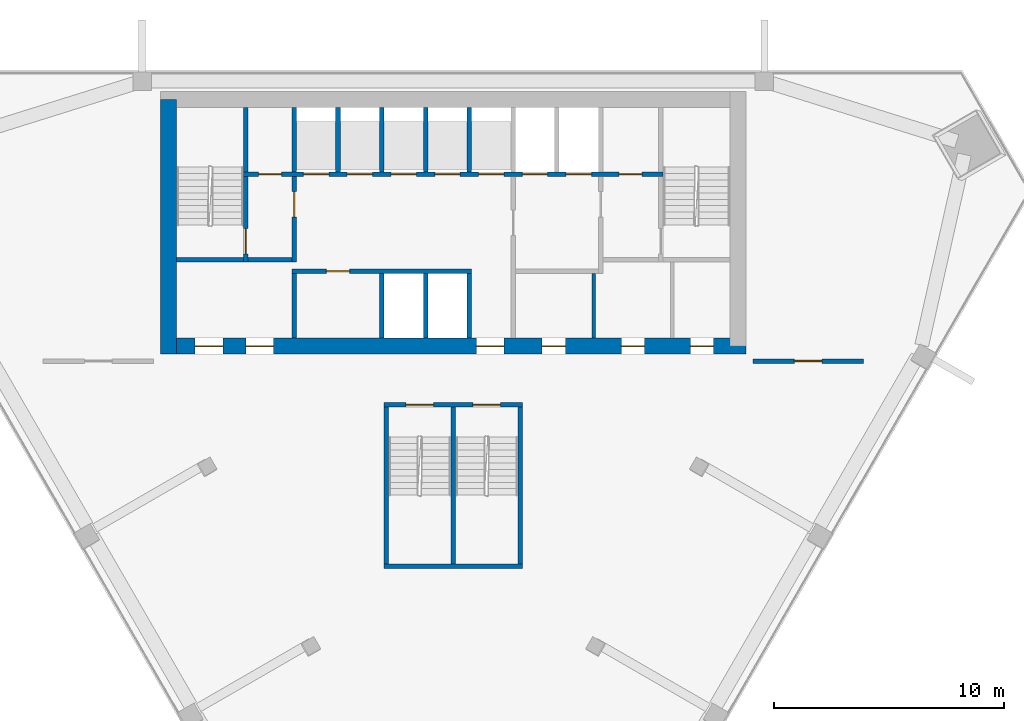
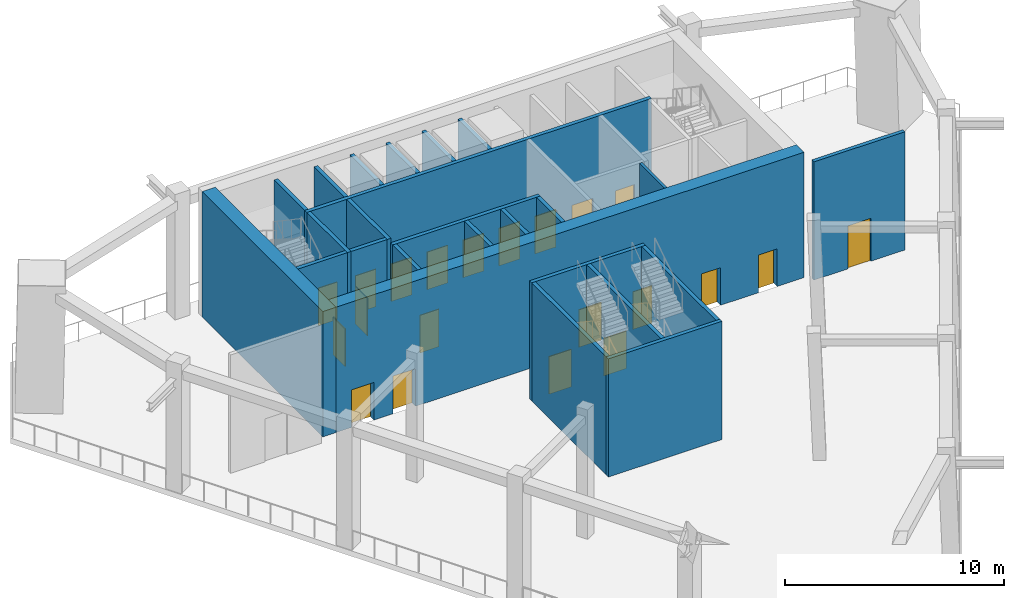
# One storey, part 2 of 6: 25 walls, 21 doors, 21 openings.
"""IFC4 building model written with IfcOpenShell, lengths in metres."""

from ifc_helpers import new_model, si_unit, direction, frame, frame_2d, origin, place, context, subcontext, project, spatial, rectangle, extrude, material, layer, layer_set, type_object, element, fill, save


model = new_model("IFC4")

# Units and contexts
model_context = context("Model", 3, precision=1e-05, world=origin(), true_north=direction((0.0, 1.0)))
body_context = subcontext(model_context, "Body", "Model", "MODEL_VIEW")
ifc_project = project(units=[si_unit("LENGTHUNIT", "METRE"), si_unit("AREAUNIT", "SQUARE_METRE"), si_unit("VOLUMEUNIT", "CUBIC_METRE"), si_unit("PLANEANGLEUNIT", "RADIAN"), si_unit("MASSUNIT", "GRAM", prefix="KILO")], contexts=[model_context])

# Site, building, storey
site_placement = place(None, origin())
site = spatial("IfcSite", under=ifc_project, at=site_placement, CompositionType="ELEMENT")
building_placement = place(site_placement, origin())
building = spatial("IfcBuilding", under=site, at=building_placement, Name="Altiplano Prism Tower", CompositionType="ELEMENT")
storey_placement = place(building_placement, frame((0.0, 0.0, 212.39990234375)))
storey = spatial("IfcBuildingStorey", under=building, at=storey_placement, Name="L55", CompositionType="ELEMENT", Elevation=212.39990234375)

# Wall, openings, doors
ifc_material_1 = material(Name="Concrete C60/75", Category="concrete")
ifc_layer_1 = layer(ifc_material_1, 0.699951171875)
ifc_layer_set_1 = layer_set([ifc_layer_1], Name="Concrete C60/75")
wall_type_1 = type_object("IfcWallType", Name="Core wall 700", PredefinedType="SHEAR", material=ifc_layer_set_1)
wall_1_placement = place(storey_placement, frame((72.64990234375, 93.050048828125, 0.0), z_axis=(0.0, 0.0, 1.0), x_axis=(1.0, 0.0, 0.0)))
wall_1 = element("IfcWall", 1, at=wall_1_placement, inside=storey, type_object=wall_type_1, Name="Core wall S L55", PredefinedType="SHEAR", context=body_context, shape_type="SweptSolid", body=[
    extrude(rectangle(XDim=25.050048828125, YDim=0.699951171875, at=frame_2d((12.52490234375, 0.0))), origin(), (0.0, 0.0, 1.0), 7.0),
])
opening_1_placement = place(wall_1_placement, frame((1.14990234375, 0.0, 0.0)))
opening_1 = element("IfcOpeningElement", 2, at=opening_1_placement, cuts=wall_1, Name="Opening D3346", PredefinedType="OPENING", context=body_context, shape_type="SweptSolid", body=[
    extrude(rectangle(XDim=1.199951171875, YDim=2.10009765625, at=frame_2d((0.60009765625, 1.050048828125))), frame((0.0, 0.3603515625, 0.0), z_axis=(0.0, -1.0, 0.0), x_axis=(1.0, 0.0, 0.0)), (0.0, 0.0, 1.0), 0.720947265625),
])
opening_2_placement = place(wall_1_placement, frame((3.35009765625, 0.0, 0.0)))
opening_2 = element("IfcOpeningElement", 3, at=opening_2_placement, cuts=wall_1, Name="Opening D3347", PredefinedType="OPENING", context=body_context, shape_type="SweptSolid", body=[
    extrude(rectangle(XDim=1.199951171875, YDim=2.10009765625, at=frame_2d((0.60009765625, 1.050048828125))), frame((0.0, 0.3603515625, 0.0), z_axis=(0.0, -1.0, 0.0), x_axis=(1.0, 0.0, 0.0)), (0.0, 0.0, 1.0), 0.720947265625),
])
opening_3_placement = place(wall_1_placement, frame((13.35009765625, 0.0, 0.0)))
opening_3 = element("IfcOpeningElement", 4, at=opening_3_placement, cuts=wall_1, Name="Opening D3348", PredefinedType="OPENING", context=body_context, shape_type="SweptSolid", body=[
    extrude(rectangle(XDim=1.199951171875, YDim=2.10009765625, at=frame_2d((0.60009765625, 1.050048828125))), frame((0.0, 0.3603515625, 0.0), z_axis=(0.0, -1.0, 0.0), x_axis=(1.0, 0.0, 0.0)), (0.0, 0.0, 1.0), 0.720947265625),
])
opening_4_placement = place(wall_1_placement, frame((16.21240234375, 0.0, 0.0)))
opening_4 = element("IfcOpeningElement", 5, at=opening_4_placement, cuts=wall_1, Name="Opening D3351", PredefinedType="OPENING", context=body_context, shape_type="SweptSolid", body=[
    extrude(rectangle(XDim=1.0, YDim=2.10009765625, at=frame_2d((0.5, 1.050048828125))), frame((0.0, 0.3603515625, 0.0), z_axis=(0.0, -1.0, 0.0), x_axis=(1.0, 0.0, 0.0)), (0.0, 0.0, 1.0), 0.720947265625),
])
opening_5_placement = place(wall_1_placement, frame((19.64990234375, 0.0, 0.0)))
opening_5 = element("IfcOpeningElement", 6, at=opening_5_placement, cuts=wall_1, Name="Opening D3352", PredefinedType="OPENING", context=body_context, shape_type="SweptSolid", body=[
    extrude(rectangle(XDim=1.0, YDim=2.10009765625, at=frame_2d((0.5, 1.050048828125))), frame((0.0, 0.3603515625, 0.0), z_axis=(0.0, -1.0, 0.0), x_axis=(1.0, 0.0, 0.0)), (0.0, 0.0, 1.0), 0.720947265625),
])
opening_6_placement = place(wall_1_placement, frame((22.637451171875, 0.0, 0.0)))
opening_6 = element("IfcOpeningElement", 7, at=opening_6_placement, cuts=wall_1, Name="Opening D3353", PredefinedType="OPENING", context=body_context, shape_type="SweptSolid", body=[
    extrude(rectangle(XDim=1.0, YDim=2.10009765625, at=frame_2d((0.5, 1.050048828125))), frame((0.0, 0.3603515625, 0.0), z_axis=(0.0, -1.0, 0.0), x_axis=(1.0, 0.0, 0.0)), (0.0, 0.0, 1.0), 0.720947265625),
])
ifc_material_2 = material(Name="Fire-rated steel door", Category="steel")
door_type_1 = type_object("IfcDoorType", Name="Core room door 1000 x 2100", OperationType="NOTDEFINED", PredefinedType="NOTDEFINED", material=ifc_material_2)
door_1_placement = place(opening_4_placement, origin())
door_1 = element("IfcDoor", 8, at=door_1_placement, inside=storey, type_object=door_type_1, Name="Core room door D3351", OperationType="SINGLE_SWING_RIGHT", OverallHeight=2.10009765625, OverallWidth=1.0, PredefinedType="NOTDEFINED", context=body_context, shape_type="SweptSolid", body=[
    extrude(rectangle(XDim=1.0, YDim=2.10009765625, at=frame_2d((0.5, 1.050048828125))), frame((0.0, 0.02490234375, 0.0), z_axis=(0.0, -1.0, 0.0), x_axis=(1.0, 0.0, 0.0)), (0.0, 0.0, 1.0), 0.050048828125),
])
fill(opening_4, door_1)
door_2_placement = place(opening_5_placement, origin())
door_2 = element("IfcDoor", 9, at=door_2_placement, inside=storey, type_object=door_type_1, Name="Core room door D3352", OperationType="SINGLE_SWING_LEFT", OverallHeight=2.10009765625, OverallWidth=1.0, PredefinedType="NOTDEFINED", context=body_context, shape_type="SweptSolid", body=[
    extrude(rectangle(XDim=1.0, YDim=2.10009765625, at=frame_2d((0.5, 1.050048828125))), frame((0.0, 0.02490234375, 0.0), z_axis=(0.0, -1.0, 0.0), x_axis=(1.0, 0.0, 0.0)), (0.0, 0.0, 1.0), 0.050048828125),
])
fill(opening_5, door_2)
door_3_placement = place(opening_6_placement, origin())
door_3 = element("IfcDoor", 10, at=door_3_placement, inside=storey, type_object=door_type_1, Name="Core room door D3353", OperationType="SINGLE_SWING_RIGHT", OverallHeight=2.10009765625, OverallWidth=1.0, PredefinedType="NOTDEFINED", context=body_context, shape_type="SweptSolid", body=[
    extrude(rectangle(XDim=1.0, YDim=2.10009765625, at=frame_2d((0.5, 1.050048828125))), frame((0.0, 0.02490234375, 0.0), z_axis=(0.0, -1.0, 0.0), x_axis=(1.0, 0.0, 0.0)), (0.0, 0.0, 1.0), 0.050048828125),
])
fill(opening_6, door_3)
door_type_2 = type_object("IfcDoorType", Name="Lobby fire door 1200 x 2100", OperationType="NOTDEFINED", PredefinedType="NOTDEFINED", material=ifc_material_2)
door_4_placement = place(opening_1_placement, origin())
door_4 = element("IfcDoor", 11, at=door_4_placement, inside=storey, type_object=door_type_2, Name="Lobby fire door D3346", OperationType="SINGLE_SWING_RIGHT", OverallHeight=2.10009765625, OverallWidth=1.199951171875, PredefinedType="NOTDEFINED", context=body_context, shape_type="SweptSolid", body=[
    extrude(rectangle(XDim=1.199951171875, YDim=2.10009765625, at=frame_2d((0.60009765625, 1.050048828125))), frame((0.0, 0.02490234375, 0.0), z_axis=(0.0, -1.0, 0.0), x_axis=(1.0, 0.0, 0.0)), (0.0, 0.0, 1.0), 0.050048828125),
])
fill(opening_1, door_4)
door_5_placement = place(opening_2_placement, origin())
door_5 = element("IfcDoor", 12, at=door_5_placement, inside=storey, type_object=door_type_2, Name="Lobby fire door D3347", OperationType="SINGLE_SWING_LEFT", OverallHeight=2.10009765625, OverallWidth=1.199951171875, PredefinedType="NOTDEFINED", context=body_context, shape_type="SweptSolid", body=[
    extrude(rectangle(XDim=1.199951171875, YDim=2.10009765625, at=frame_2d((0.60009765625, 1.050048828125))), frame((0.0, 0.02490234375, 0.0), z_axis=(0.0, -1.0, 0.0), x_axis=(1.0, 0.0, 0.0)), (0.0, 0.0, 1.0), 0.050048828125),
])
fill(opening_2, door_5)
door_6_placement = place(opening_3_placement, origin())
door_6 = element("IfcDoor", 13, at=door_6_placement, inside=storey, type_object=door_type_2, Name="Lobby fire door D3348", OperationType="SINGLE_SWING_RIGHT", OverallHeight=2.10009765625, OverallWidth=1.199951171875, PredefinedType="NOTDEFINED", context=body_context, shape_type="SweptSolid", body=[
    extrude(rectangle(XDim=1.199951171875, YDim=2.10009765625, at=frame_2d((0.60009765625, 1.050048828125))), frame((0.0, 0.02490234375, 0.0), z_axis=(0.0, -1.0, 0.0), x_axis=(1.0, 0.0, 0.0)), (0.0, 0.0, 1.0), 0.050048828125),
])
fill(opening_3, door_6)

# Wall
wall_2_placement = place(storey_placement, frame((72.64990234375, 103.75, 0.0), z_axis=(0.0, 0.0, 1.0), x_axis=(0.0, -1.0, 0.0)))
element("IfcWall", 14, at=wall_2_placement, inside=storey, type_object=wall_type_1, Name="Core wall W L55", PredefinedType="SHEAR", context=body_context, shape_type="SweptSolid", body=[
    extrude(rectangle(XDim=11.050048828125, YDim=0.699951171875, at=frame_2d((5.52490234375, 0.0))), origin(), (0.0, 0.0, 1.0), 7.0),
])

# Wall, opening, door
ifc_material_3 = material(Name="Plasterboard on steel stud", Category="steel")
ifc_layer_2 = layer(ifc_material_3, 0.199951171875)
ifc_layer_set_2 = layer_set([ifc_layer_2], Name="Plasterboard on steel stud")
wall_type_2 = type_object("IfcWallType", Name="Partition 200 plant", PredefinedType="PARTITIONING", material=ifc_layer_set_2)
wall_3_placement = place(storey_placement, frame((102.800048828125, 92.39990234375, 0.0), z_axis=(0.0, 0.0, 1.0), x_axis=(-1.0, 0.0, 0.0)))
wall_3 = element("IfcWall", 15, at=wall_3_placement, inside=storey, type_object=wall_type_2, Name="Partition P04 L55 002", PredefinedType="PARTITIONING", context=body_context, shape_type="SweptSolid", body=[
    extrude(rectangle(XDim=4.800048828125, YDim=0.199951171875, at=frame_2d((2.39990234375, 0.0))), origin(), (0.0, 0.0, 1.0), 6.60009765625),
])
opening_7_placement = place(wall_3_placement, frame((1.800048828125, 0.0, 0.0)))
opening_7 = element("IfcOpeningElement", 16, at=opening_7_placement, cuts=wall_3, Name="Opening D1870", PredefinedType="OPENING", context=body_context, shape_type="SweptSolid", body=[
    extrude(rectangle(XDim=1.199951171875, YDim=2.39990234375, at=frame_2d((0.60009765625, 1.199951171875))), frame((0.0, 0.1103515625, 0.0), z_axis=(0.0, -1.0, 0.0), x_axis=(1.0, 0.0, 0.0)), (0.0, 0.0, 1.0), 0.220947265625),
])
ifc_material_4 = material(Name="Painted steel door leaf", Category="steel")
door_type_3 = type_object("IfcDoorType", Name="Plant room door 1200 x 2400", OperationType="NOTDEFINED", PredefinedType="NOTDEFINED", material=ifc_material_4)
door_7_placement = place(opening_7_placement, origin())
door_7 = element("IfcDoor", 17, at=door_7_placement, inside=storey, type_object=door_type_3, Name="Door D1870", OperationType="SINGLE_SWING_RIGHT", OverallHeight=2.39990234375, OverallWidth=1.199951171875, PredefinedType="NOTDEFINED", context=body_context, shape_type="SweptSolid", body=[
    extrude(rectangle(XDim=1.199951171875, YDim=2.39990234375, at=frame_2d((0.60009765625, 1.199951171875))), frame((0.0, 0.02490234375, 0.0), z_axis=(0.0, -1.0, 0.0), x_axis=(1.0, 0.0, 0.0)), (0.0, 0.0, 1.0), 0.050048828125),
])
fill(opening_7, door_7)

# Walls
ifc_material_5 = material(Name="Fire-rated gypsum board partition")
ifc_layer_3 = layer(ifc_material_5, 0.14990234375)
ifc_layer_set_3 = layer_set([ifc_layer_3], Name="Fire-rated gypsum board partition")
wall_type_3 = type_object("IfcWallType", Name="Room partition 150", PredefinedType="PARTITIONING", material=ifc_layer_set_3)
wall_4_placement = place(storey_placement, frame((91.10009765625, 93.39990234375, 0.0), z_axis=(0.0, 0.0, 1.0), x_axis=(0.0, 1.0, 0.0)))
element("IfcWall", 18, at=wall_4_placement, inside=storey, type_object=wall_type_3, Name="Room partition L55", PredefinedType="PARTITIONING", context=body_context, shape_type="SweptSolid", body=[
    extrude(rectangle(XDim=2.800048828125, YDim=0.14990234375, at=frame_2d((1.39990234375, 0.0))), origin(), (0.0, 0.0, 1.0), 6.60009765625),
])
ifc_layer_4 = layer(ifc_material_1, 0.199951171875)
ifc_layer_set_4 = layer_set([ifc_layer_4], Name="Concrete C60/75")
wall_type_4 = type_object("IfcWallType", Name="Shaft wall 200", PredefinedType="SOLIDWALL", material=ifc_layer_set_4)
for number, where, z_axis, x_axis, name in (
    (19, (81.89990234375, 93.39990234375, 0.0), (0.0, 0.0, 1.0), (0.0, 1.0, 0.0), "Shaft wall L55"),
    (20, (83.800048828125, 93.39990234375, 0.0), (0.0, 0.0, 1.0), (0.0, 1.0, 0.0), "Shaft wall L55"),
    (21, (85.699951171875, 93.39990234375, 0.0), (0.0, 0.0, 1.0), (0.0, 1.0, 0.0), "Shaft wall L55"),
):
    element("IfcWall", number, at=place(storey_placement, frame(where, z_axis=z_axis, x_axis=x_axis)), inside=storey, type_object=wall_type_4, Name=name, PredefinedType="SOLIDWALL", context=body_context, shape_type="SweptSolid", body=[
        extrude(rectangle(XDim=2.800048828125, YDim=0.199951171875, at=frame_2d((1.39990234375, 0.0))), origin(), (0.0, 0.0, 1.0), 6.60009765625),
    ])

# Wall, opening, door
wall_5_placement = place(storey_placement, frame((78.0, 96.300048828125, 0.0), z_axis=(0.0, 0.0, 1.0), x_axis=(1.0, 0.0, 0.0)))
wall_5 = element("IfcWall", 22, at=wall_5_placement, inside=storey, type_object=wall_type_4, Name="Shaft wall L55", PredefinedType="SOLIDWALL", context=body_context, shape_type="SweptSolid", body=[
    extrude(rectangle(XDim=7.800048828125, YDim=0.199951171875, at=frame_2d((3.89990234375, 0.0))), origin(), (0.0, 0.0, 1.0), 6.60009765625),
])
opening_8_placement = place(wall_5_placement, frame((1.5, 0.0, 0.0)))
opening_8 = element("IfcOpeningElement", 23, at=opening_8_placement, cuts=wall_5, Name="Opening D3354", PredefinedType="OPENING", context=body_context, shape_type="SweptSolid", body=[
    extrude(rectangle(XDim=1.0, YDim=2.10009765625, at=frame_2d((0.5, 1.050048828125))), frame((0.0, 0.1103515625, 0.0), z_axis=(0.0, -1.0, 0.0), x_axis=(1.0, 0.0, 0.0)), (0.0, 0.0, 1.0), 0.220947265625),
])
door_8_placement = place(opening_8_placement, origin())
door_8 = element("IfcDoor", 24, at=door_8_placement, inside=storey, type_object=door_type_1, Name="Core room door D3354", OperationType="SINGLE_SWING_RIGHT", OverallHeight=2.10009765625, OverallWidth=1.0, PredefinedType="NOTDEFINED", context=body_context, shape_type="SweptSolid", body=[
    extrude(rectangle(XDim=1.0, YDim=2.10009765625, at=frame_2d((0.5, 1.050048828125))), frame((0.0, 0.02490234375, 0.0), z_axis=(0.0, -1.0, 0.0), x_axis=(1.0, 0.0, 0.0)), (0.0, 0.0, 1.0), 0.050048828125),
])
fill(opening_8, door_8)

# Walls
for number, where, z_axis, x_axis, name in (
    (25, (78.10009765625, 100.60009765625, 0.0), (0.0, 0.0, 1.0), (0.0, 1.0, 0.0), "Shaft wall L55"),
    (26, (80.0, 100.60009765625, 0.0), (0.0, 0.0, 1.0), (0.0, 1.0, 0.0), "Shaft wall L55"),
    (27, (81.89990234375, 100.60009765625, 0.0), (0.0, 0.0, 1.0), (0.0, 1.0, 0.0), "Shaft wall L55"),
    (28, (83.800048828125, 100.60009765625, 0.0), (0.0, 0.0, 1.0), (0.0, 1.0, 0.0), "Shaft wall L55"),
    (29, (85.699951171875, 100.60009765625, 0.0), (0.0, 0.0, 1.0), (0.0, 1.0, 0.0), "Shaft wall L55"),
):
    element("IfcWall", number, at=place(storey_placement, frame(where, z_axis=z_axis, x_axis=x_axis)), inside=storey, type_object=wall_type_4, Name=name, PredefinedType="SOLIDWALL", context=body_context, shape_type="SweptSolid", body=[
        extrude(rectangle(XDim=2.7998046875, YDim=0.199951171875, at=frame_2d((1.39990234375, 0.0))), origin(), (0.0, 0.0, 1.0), 6.60009765625),
    ])
ifc_layer_5 = layer(ifc_material_1, 0.199951171875)
ifc_layer_set_5 = layer_set([ifc_layer_5], Name="Concrete C60/75")
wall_type_5 = type_object("IfcWallType", Name="Stair wall 200", PredefinedType="SOLIDWALL", material=ifc_layer_set_5)
wall_6_placement = place(storey_placement, frame((73.0, 96.800048828125, 0.0), z_axis=(0.0, 0.0, 1.0), x_axis=(1.0, 0.0, 0.0)))
element("IfcWall", 30, at=wall_6_placement, inside=storey, type_object=wall_type_5, Name="Stair wall L55", PredefinedType="SOLIDWALL", context=body_context, shape_type="SweptSolid", body=[
    extrude(rectangle(XDim=2.89990234375, YDim=0.199951171875, at=frame_2d((1.449951171875, 0.0))), origin(), (0.0, 0.0, 1.0), 6.60009765625),
])

# Wall, opening, door
wall_7_placement = place(storey_placement, frame((76.0, 96.699951171875, 0.0), z_axis=(0.0, 0.0, 1.0), x_axis=(0.0, 1.0, 0.0)))
wall_7 = element("IfcWall", 31, at=wall_7_placement, inside=storey, type_object=wall_type_5, Name="Stair wall L55", PredefinedType="SOLIDWALL", context=body_context, shape_type="SweptSolid", body=[
    extrude(rectangle(XDim=3.699951171875, YDim=0.199951171875, at=frame_2d((1.85009765625, 0.0))), origin(), (0.0, 0.0, 1.0), 6.60009765625),
])
opening_9_placement = place(wall_7_placement, frame((0.35009765625, 0.0, 0.0)))
opening_9 = element("IfcOpeningElement", 32, at=opening_9_placement, cuts=wall_7, Name="Opening D3341", PredefinedType="OPENING", context=body_context, shape_type="SweptSolid", body=[
    extrude(rectangle(XDim=1.10009765625, YDim=2.10009765625, at=frame_2d((0.550048828125, 1.050048828125))), frame((0.0, 0.1103515625, 0.0), z_axis=(0.0, -1.0, 0.0), x_axis=(1.0, 0.0, 0.0)), (0.0, 0.0, 1.0), 0.220947265625),
])
door_type_4 = type_object("IfcDoorType", Name="Stair fire door 1100 x 2100", OperationType="NOTDEFINED", PredefinedType="NOTDEFINED", material=ifc_material_2)
door_9_placement = place(opening_9_placement, origin())
door_9 = element("IfcDoor", 33, at=door_9_placement, inside=storey, type_object=door_type_4, Name="Stair fire door D3341", OperationType="SINGLE_SWING_RIGHT", OverallHeight=2.10009765625, OverallWidth=1.10009765625, PredefinedType="NOTDEFINED", context=body_context, shape_type="SweptSolid", body=[
    extrude(rectangle(XDim=1.10009765625, YDim=2.10009765625, at=frame_2d((0.550048828125, 1.050048828125))), frame((0.0, 0.02490234375, 0.0), z_axis=(0.0, -1.0, 0.0), x_axis=(1.0, 0.0, 0.0)), (0.0, 0.0, 1.0), 0.050048828125),
])
fill(opening_9, door_9)

# Wall, openings, doors
wall_8_placement = place(storey_placement, frame((75.89990234375, 100.5, 0.0), z_axis=(0.0, 0.0, 1.0), x_axis=(1.0, 0.0, 0.0)))
wall_8 = element("IfcWall", 34, at=wall_8_placement, inside=storey, type_object=wall_type_5, Name="Stair wall L55", PredefinedType="SOLIDWALL", context=body_context, shape_type="SweptSolid", body=[
    extrude(rectangle(XDim=18.2001953125, YDim=0.199951171875, at=frame_2d((9.10009765625, 0.0))), origin(), (0.0, 0.0, 1.0), 6.60009765625),
])
opening_10_placement = place(wall_8_placement, frame((2.60009765625, 0.0, 0.0)))
opening_10 = element("IfcOpeningElement", 35, at=opening_10_placement, cuts=wall_8, Name="Opening LD-ML1-L55", PredefinedType="OPENING", context=body_context, shape_type="SweptSolid", body=[
    extrude(rectangle(XDim=1.10009765625, YDim=2.10009765625, at=frame_2d((0.550048828125, 1.050048828125))), frame((0.0, 0.1103515625, 0.0), z_axis=(0.0, -1.0, 0.0), x_axis=(1.0, 0.0, 0.0)), (0.0, 0.0, 1.0), 0.220947265625),
])
opening_11_placement = place(wall_8_placement, frame((4.5, 0.0, 0.0)))
opening_11 = element("IfcOpeningElement", 36, at=opening_11_placement, cuts=wall_8, Name="Opening LD-ML2-L55", PredefinedType="OPENING", context=body_context, shape_type="SweptSolid", body=[
    extrude(rectangle(XDim=1.10009765625, YDim=2.10009765625, at=frame_2d((0.550048828125, 1.050048828125))), frame((0.0, 0.1103515625, 0.0), z_axis=(0.0, -1.0, 0.0), x_axis=(1.0, 0.0, 0.0)), (0.0, 0.0, 1.0), 0.220947265625),
])
opening_12_placement = place(wall_8_placement, frame((6.39990234375, 0.0, 0.0)))
opening_12 = element("IfcOpeningElement", 37, at=opening_12_placement, cuts=wall_8, Name="Opening LD-ML3-L55", PredefinedType="OPENING", context=body_context, shape_type="SweptSolid", body=[
    extrude(rectangle(XDim=1.10009765625, YDim=2.10009765625, at=frame_2d((0.550048828125, 1.050048828125))), frame((0.0, 0.1103515625, 0.0), z_axis=(0.0, -1.0, 0.0), x_axis=(1.0, 0.0, 0.0)), (0.0, 0.0, 1.0), 0.220947265625),
])
opening_13_placement = place(wall_8_placement, frame((8.300048828125, 0.0, 0.0)))
opening_13 = element("IfcOpeningElement", 38, at=opening_13_placement, cuts=wall_8, Name="Opening LD-ML4-L55", PredefinedType="OPENING", context=body_context, shape_type="SweptSolid", body=[
    extrude(rectangle(XDim=1.10009765625, YDim=2.10009765625, at=frame_2d((0.550048828125, 1.050048828125))), frame((0.0, 0.1103515625, 0.0), z_axis=(0.0, -1.0, 0.0), x_axis=(1.0, 0.0, 0.0)), (0.0, 0.0, 1.0), 0.220947265625),
])
opening_14_placement = place(wall_8_placement, frame((10.199951171875, 0.0, 0.0)))
opening_14 = element("IfcOpeningElement", 39, at=opening_14_placement, cuts=wall_8, Name="Opening LD-ML5-L55", PredefinedType="OPENING", context=body_context, shape_type="SweptSolid", body=[
    extrude(rectangle(XDim=1.10009765625, YDim=2.10009765625, at=frame_2d((0.550048828125, 1.050048828125))), frame((0.0, 0.1103515625, 0.0), z_axis=(0.0, -1.0, 0.0), x_axis=(1.0, 0.0, 0.0)), (0.0, 0.0, 1.0), 0.220947265625),
])
opening_15_placement = place(wall_8_placement, frame((12.10009765625, 0.0, 0.0)))
opening_15 = element("IfcOpeningElement", 40, at=opening_15_placement, cuts=wall_8, Name="Opening LD-FF1-L55", PredefinedType="OPENING", context=body_context, shape_type="SweptSolid", body=[
    extrude(rectangle(XDim=1.10009765625, YDim=2.10009765625, at=frame_2d((0.550048828125, 1.050048828125))), frame((0.0, 0.1103515625, 0.0), z_axis=(0.0, -1.0, 0.0), x_axis=(1.0, 0.0, 0.0)), (0.0, 0.0, 1.0), 0.220947265625),
])
opening_16_placement = place(wall_8_placement, frame((14.0, 0.0, 0.0)))
opening_16 = element("IfcOpeningElement", 41, at=opening_16_placement, cuts=wall_8, Name="Opening LD-FF2-L55", PredefinedType="OPENING", context=body_context, shape_type="SweptSolid", body=[
    extrude(rectangle(XDim=1.10009765625, YDim=2.10009765625, at=frame_2d((0.550048828125, 1.050048828125))), frame((0.0, 0.1103515625, 0.0), z_axis=(0.0, -1.0, 0.0), x_axis=(1.0, 0.0, 0.0)), (0.0, 0.0, 1.0), 0.220947265625),
])
opening_17_placement = place(wall_8_placement, frame((0.64990234375, 0.0, 0.0)))
opening_17 = element("IfcOpeningElement", 42, at=opening_17_placement, cuts=wall_8, Name="Opening D3349", PredefinedType="OPENING", context=body_context, shape_type="SweptSolid", body=[
    extrude(rectangle(XDim=1.0, YDim=2.10009765625, at=frame_2d((0.5, 1.050048828125))), frame((0.0, 0.1103515625, 0.0), z_axis=(0.0, -1.0, 0.0), x_axis=(1.0, 0.0, 0.0)), (0.0, 0.0, 1.0), 0.220947265625),
])
opening_18_placement = place(wall_8_placement, frame((16.300048828125, 0.0, 0.0)))
opening_18 = element("IfcOpeningElement", 43, at=opening_18_placement, cuts=wall_8, Name="Opening D3350", PredefinedType="OPENING", context=body_context, shape_type="SweptSolid", body=[
    extrude(rectangle(XDim=1.0, YDim=2.10009765625, at=frame_2d((0.5, 1.050048828125))), frame((0.0, 0.1103515625, 0.0), z_axis=(0.0, -1.0, 0.0), x_axis=(1.0, 0.0, 0.0)), (0.0, 0.0, 1.0), 0.220947265625),
])
door_10_placement = place(opening_17_placement, origin())
door_10 = element("IfcDoor", 44, at=door_10_placement, inside=storey, type_object=door_type_1, Name="Core room door D3349", OperationType="SINGLE_SWING_LEFT", OverallHeight=2.10009765625, OverallWidth=1.0, PredefinedType="NOTDEFINED", context=body_context, shape_type="SweptSolid", body=[
    extrude(rectangle(XDim=1.0, YDim=2.10009765625, at=frame_2d((0.5, 1.050048828125))), frame((0.0, 0.02490234375, 0.0), z_axis=(0.0, -1.0, 0.0), x_axis=(1.0, 0.0, 0.0)), (0.0, 0.0, 1.0), 0.050048828125),
])
fill(opening_17, door_10)
door_11_placement = place(opening_18_placement, origin())
door_11 = element("IfcDoor", 45, at=door_11_placement, inside=storey, type_object=door_type_1, Name="Core room door D3350", OperationType="SINGLE_SWING_RIGHT", OverallHeight=2.10009765625, OverallWidth=1.0, PredefinedType="NOTDEFINED", context=body_context, shape_type="SweptSolid", body=[
    extrude(rectangle(XDim=1.0, YDim=2.10009765625, at=frame_2d((0.5, 1.050048828125))), frame((0.0, 0.02490234375, 0.0), z_axis=(0.0, -1.0, 0.0), x_axis=(1.0, 0.0, 0.0)), (0.0, 0.0, 1.0), 0.050048828125),
])
fill(opening_18, door_11)
ifc_material_6 = material(Name="Stainless steel landing door", Category="steel")
door_type_5 = type_object("IfcDoorType", Name="Landing door 1100 x 2100", OperationType="NOTDEFINED", PredefinedType="NOTDEFINED", material=ifc_material_6)
door_12_placement = place(opening_10_placement, origin())
door_12 = element("IfcDoor", 46, at=door_12_placement, inside=storey, type_object=door_type_5, Name="Landing doors ML1", OperationType="SLIDING_TO_RIGHT", OverallHeight=2.10009765625, OverallWidth=1.10009765625, PredefinedType="NOTDEFINED", context=body_context, shape_type="SweptSolid", body=[
    extrude(rectangle(XDim=1.10009765625, YDim=2.10009765625, at=frame_2d((0.550048828125, 1.050048828125))), frame((0.0, 0.02490234375, 0.0), z_axis=(0.0, -1.0, 0.0), x_axis=(1.0, 0.0, 0.0)), (0.0, 0.0, 1.0), 0.050048828125),
])
fill(opening_10, door_12)
door_13_placement = place(opening_11_placement, origin())
door_13 = element("IfcDoor", 47, at=door_13_placement, inside=storey, type_object=door_type_5, Name="Landing doors ML2", OperationType="SLIDING_TO_LEFT", OverallHeight=2.10009765625, OverallWidth=1.10009765625, PredefinedType="NOTDEFINED", context=body_context, shape_type="SweptSolid", body=[
    extrude(rectangle(XDim=1.10009765625, YDim=2.10009765625, at=frame_2d((0.550048828125, 1.050048828125))), frame((0.0, 0.02490234375, 0.0), z_axis=(0.0, -1.0, 0.0), x_axis=(1.0, 0.0, 0.0)), (0.0, 0.0, 1.0), 0.050048828125),
])
fill(opening_11, door_13)
door_14_placement = place(opening_12_placement, origin())
door_14 = element("IfcDoor", 48, at=door_14_placement, inside=storey, type_object=door_type_5, Name="Landing doors ML3", OperationType="SLIDING_TO_RIGHT", OverallHeight=2.10009765625, OverallWidth=1.10009765625, PredefinedType="NOTDEFINED", context=body_context, shape_type="SweptSolid", body=[
    extrude(rectangle(XDim=1.10009765625, YDim=2.10009765625, at=frame_2d((0.550048828125, 1.050048828125))), frame((0.0, 0.02490234375, 0.0), z_axis=(0.0, -1.0, 0.0), x_axis=(1.0, 0.0, 0.0)), (0.0, 0.0, 1.0), 0.050048828125),
])
fill(opening_12, door_14)
door_15_placement = place(opening_13_placement, origin())
door_15 = element("IfcDoor", 49, at=door_15_placement, inside=storey, type_object=door_type_5, Name="Landing doors ML4", OperationType="SLIDING_TO_LEFT", OverallHeight=2.10009765625, OverallWidth=1.10009765625, PredefinedType="NOTDEFINED", context=body_context, shape_type="SweptSolid", body=[
    extrude(rectangle(XDim=1.10009765625, YDim=2.10009765625, at=frame_2d((0.550048828125, 1.050048828125))), frame((0.0, 0.02490234375, 0.0), z_axis=(0.0, -1.0, 0.0), x_axis=(1.0, 0.0, 0.0)), (0.0, 0.0, 1.0), 0.050048828125),
])
fill(opening_13, door_15)
door_16_placement = place(opening_14_placement, origin())
door_16 = element("IfcDoor", 50, at=door_16_placement, inside=storey, type_object=door_type_5, Name="Landing doors ML5", OperationType="SLIDING_TO_RIGHT", OverallHeight=2.10009765625, OverallWidth=1.10009765625, PredefinedType="NOTDEFINED", context=body_context, shape_type="SweptSolid", body=[
    extrude(rectangle(XDim=1.10009765625, YDim=2.10009765625, at=frame_2d((0.550048828125, 1.050048828125))), frame((0.0, 0.02490234375, 0.0), z_axis=(0.0, -1.0, 0.0), x_axis=(1.0, 0.0, 0.0)), (0.0, 0.0, 1.0), 0.050048828125),
])
fill(opening_14, door_16)
door_17_placement = place(opening_15_placement, origin())
door_17 = element("IfcDoor", 51, at=door_17_placement, inside=storey, type_object=door_type_5, Name="Landing doors FF1", OperationType="SLIDING_TO_RIGHT", OverallHeight=2.10009765625, OverallWidth=1.10009765625, PredefinedType="NOTDEFINED", context=body_context, shape_type="SweptSolid", body=[
    extrude(rectangle(XDim=1.10009765625, YDim=2.10009765625, at=frame_2d((0.550048828125, 1.050048828125))), frame((0.0, 0.02490234375, 0.0), z_axis=(0.0, -1.0, 0.0), x_axis=(1.0, 0.0, 0.0)), (0.0, 0.0, 1.0), 0.050048828125),
])
fill(opening_15, door_17)
door_18_placement = place(opening_16_placement, origin())
door_18 = element("IfcDoor", 52, at=door_18_placement, inside=storey, type_object=door_type_5, Name="Landing doors FF2", OperationType="SLIDING_TO_LEFT", OverallHeight=2.10009765625, OverallWidth=1.10009765625, PredefinedType="NOTDEFINED", context=body_context, shape_type="SweptSolid", body=[
    extrude(rectangle(XDim=1.10009765625, YDim=2.10009765625, at=frame_2d((0.550048828125, 1.050048828125))), frame((0.0, 0.02490234375, 0.0), z_axis=(0.0, -1.0, 0.0), x_axis=(1.0, 0.0, 0.0)), (0.0, 0.0, 1.0), 0.050048828125),
])
fill(opening_16, door_18)

# Wall
wall_9_placement = place(storey_placement, frame((76.0, 100.60009765625, 0.0), z_axis=(0.0, 0.0, 1.0), x_axis=(0.0, 1.0, 0.0)))
element("IfcWall", 53, at=wall_9_placement, inside=storey, type_object=wall_type_5, Name="Stair wall L55", PredefinedType="SOLIDWALL", context=body_context, shape_type="SweptSolid", body=[
    extrude(rectangle(XDim=2.7998046875, YDim=0.199951171875, at=frame_2d((1.39990234375, 0.0))), origin(), (0.0, 0.0, 1.0), 6.60009765625),
])

# Wall, openings, doors
wall_10_placement = place(storey_placement, frame((82.0, 90.5, 0.0), z_axis=(0.0, 0.0, 1.0), x_axis=(1.0, 0.0, 0.0)))
wall_10 = element("IfcWall", 54, at=wall_10_placement, inside=storey, type_object=wall_type_5, Name="Stair 3 wall north L55", PredefinedType="SOLIDWALL", context=body_context, shape_type="SweptSolid", body=[
    extrude(rectangle(XDim=6.0, YDim=0.199951171875, at=frame_2d((3.0, 0.0))), origin(), (0.0, 0.0, 1.0), 6.60009765625),
])
opening_19_placement = place(wall_10_placement, frame((0.949951171875, 0.0, 0.0)))
opening_19 = element("IfcOpeningElement", 55, at=opening_19_placement, cuts=wall_10, Name="Opening D4032", PredefinedType="OPENING", context=body_context, shape_type="SweptSolid", body=[
    extrude(rectangle(XDim=1.199951171875, YDim=2.10009765625, at=frame_2d((0.60009765625, 1.050048828125))), frame((0.0, 0.1103515625, 0.0), z_axis=(0.0, -1.0, 0.0), x_axis=(1.0, 0.0, 0.0)), (0.0, 0.0, 1.0), 0.220947265625),
])
opening_20_placement = place(wall_10_placement, frame((3.85009765625, 0.0, 0.0)))
opening_20 = element("IfcOpeningElement", 56, at=opening_20_placement, cuts=wall_10, Name="Opening D4033", PredefinedType="OPENING", context=body_context, shape_type="SweptSolid", body=[
    extrude(rectangle(XDim=1.199951171875, YDim=2.10009765625, at=frame_2d((0.60009765625, 1.050048828125))), frame((0.0, 0.1103515625, 0.0), z_axis=(0.0, -1.0, 0.0), x_axis=(1.0, 0.0, 0.0)), (0.0, 0.0, 1.0), 0.220947265625),
])
door_type_6 = type_object("IfcDoorType", Name="Stair fire door 1200 x 2100", OperationType="NOTDEFINED", PredefinedType="NOTDEFINED", material=ifc_material_2)
door_19_placement = place(opening_19_placement, origin())
door_19 = element("IfcDoor", 57, at=door_19_placement, inside=storey, type_object=door_type_6, Name="Stair fire door D4032", OperationType="SINGLE_SWING_LEFT", OverallHeight=2.10009765625, OverallWidth=1.199951171875, PredefinedType="NOTDEFINED", context=body_context, shape_type="SweptSolid", body=[
    extrude(rectangle(XDim=1.199951171875, YDim=2.10009765625, at=frame_2d((0.60009765625, 1.050048828125))), frame((0.0, 0.02490234375, 0.0), z_axis=(0.0, -1.0, 0.0), x_axis=(1.0, 0.0, 0.0)), (0.0, 0.0, 1.0), 0.050048828125),
])
fill(opening_19, door_19)
door_20_placement = place(opening_20_placement, origin())
door_20 = element("IfcDoor", 58, at=door_20_placement, inside=storey, type_object=door_type_6, Name="Stair fire door D4033", OperationType="SINGLE_SWING_LEFT", OverallHeight=2.10009765625, OverallWidth=1.199951171875, PredefinedType="NOTDEFINED", context=body_context, shape_type="SweptSolid", body=[
    extrude(rectangle(XDim=1.199951171875, YDim=2.10009765625, at=frame_2d((0.60009765625, 1.050048828125))), frame((0.0, 0.02490234375, 0.0), z_axis=(0.0, -1.0, 0.0), x_axis=(1.0, 0.0, 0.0)), (0.0, 0.0, 1.0), 0.050048828125),
])
fill(opening_20, door_20)

# Walls
wall_11_placement = place(storey_placement, frame((82.0, 83.5, 0.0), z_axis=(0.0, 0.0, 1.0), x_axis=(1.0, 0.0, 0.0)))
element("IfcWall", 59, at=wall_11_placement, inside=storey, type_object=wall_type_5, Name="Stair 3 wall south L55", PredefinedType="SOLIDWALL", context=body_context, shape_type="SweptSolid", body=[
    extrude(rectangle(XDim=6.0, YDim=0.199951171875, at=frame_2d((3.0, 0.0))), origin(), (0.0, 0.0, 1.0), 6.60009765625),
])
for number, where, z_axis, x_axis, name in (
    (60, (82.10009765625, 83.60009765625, 0.0), (0.0, 0.0, 1.0), (0.0, 1.0, 0.0), "Stair 3 wall west L55"),
    (61, (87.89990234375, 83.60009765625, 0.0), (0.0, 0.0, 1.0), (0.0, 1.0, 0.0), "Stair 3 wall east L55"),
    (62, (85.0, 83.60009765625, 0.0), (0.0, 0.0, 1.0), (0.0, 1.0, 0.0), "Stair 3 wall divider L55"),
):
    element("IfcWall", number, at=place(storey_placement, frame(where, z_axis=z_axis, x_axis=x_axis)), inside=storey, type_object=wall_type_5, Name=name, PredefinedType="SOLIDWALL", context=body_context, shape_type="SweptSolid", body=[
        extrude(rectangle(XDim=6.7998046875, YDim=0.199951171875, at=frame_2d((3.39990234375, 0.0))), origin(), (0.0, 0.0, 1.0), 6.60009765625),
    ])
ifc_layer_6 = layer(ifc_material_1, 0.199951171875)
ifc_layer_set_6 = layer_set([ifc_layer_6], Name="Concrete C60/75")
wall_type_6 = type_object("IfcWallType", Name="Vestibule wall 200", PredefinedType="PARTITIONING", material=ifc_layer_set_6)
wall_12_placement = place(storey_placement, frame((78.10009765625, 93.39990234375, 0.0), z_axis=(0.0, 0.0, 1.0), x_axis=(0.0, 1.0, 0.0)))
element("IfcWall", 63, at=wall_12_placement, inside=storey, type_object=wall_type_6, Name="Vestibule wall L55", PredefinedType="PARTITIONING", context=body_context, shape_type="SweptSolid", body=[
    extrude(rectangle(XDim=2.800048828125, YDim=0.199951171875, at=frame_2d((1.39990234375, 0.0))), origin(), (0.0, 0.0, 1.0), 6.60009765625),
])
wall_13_placement = place(storey_placement, frame((76.10009765625, 96.800048828125, 0.0), z_axis=(0.0, 0.0, 1.0), x_axis=(1.0, 0.0, 0.0)))
element("IfcWall", 64, at=wall_13_placement, inside=storey, type_object=wall_type_6, Name="Vestibule wall L55", PredefinedType="PARTITIONING", context=body_context, shape_type="SweptSolid", body=[
    extrude(rectangle(XDim=1.89990234375, YDim=0.199951171875, at=frame_2d((0.949951171875, 0.0))), origin(), (0.0, 0.0, 1.0), 6.60009765625),
])

# Wall, opening, door
wall_14_placement = place(storey_placement, frame((78.10009765625, 96.699951171875, 0.0), z_axis=(0.0, 0.0, 1.0), x_axis=(0.0, 1.0, 0.0)))
wall_14 = element("IfcWall", 65, at=wall_14_placement, inside=storey, type_object=wall_type_6, Name="Vestibule wall L55", PredefinedType="PARTITIONING", context=body_context, shape_type="SweptSolid", body=[
    extrude(rectangle(XDim=3.699951171875, YDim=0.199951171875, at=frame_2d((1.85009765625, 0.0))), origin(), (0.0, 0.0, 1.0), 6.60009765625),
])
opening_21_placement = place(wall_14_placement, frame((1.949951171875, 0.0, 0.0)))
opening_21 = element("IfcOpeningElement", 66, at=opening_21_placement, cuts=wall_14, Name="Opening D3343", PredefinedType="OPENING", context=body_context, shape_type="SweptSolid", body=[
    extrude(rectangle(XDim=1.10009765625, YDim=2.10009765625, at=frame_2d((0.550048828125, 1.050048828125))), frame((0.0, 0.1103515625, 0.0), z_axis=(0.0, -1.0, 0.0), x_axis=(1.0, 0.0, 0.0)), (0.0, 0.0, 1.0), 0.220947265625),
])
door_type_7 = type_object("IfcDoorType", Name="Vestibule fire door 1100 x 2100", OperationType="NOTDEFINED", PredefinedType="NOTDEFINED", material=ifc_material_2)
door_21_placement = place(opening_21_placement, origin())
door_21 = element("IfcDoor", 67, at=door_21_placement, inside=storey, type_object=door_type_7, Name="Vestibule fire door D3343", OperationType="SINGLE_SWING_LEFT", OverallHeight=2.10009765625, OverallWidth=1.10009765625, PredefinedType="NOTDEFINED", context=body_context, shape_type="SweptSolid", body=[
    extrude(rectangle(XDim=1.10009765625, YDim=2.10009765625, at=frame_2d((0.550048828125, 1.050048828125))), frame((0.0, 0.02490234375, 0.0), z_axis=(0.0, -1.0, 0.0), x_axis=(1.0, 0.0, 0.0)), (0.0, 0.0, 1.0), 0.050048828125),
])
fill(opening_21, door_21)

save(model, "model.ifc")
